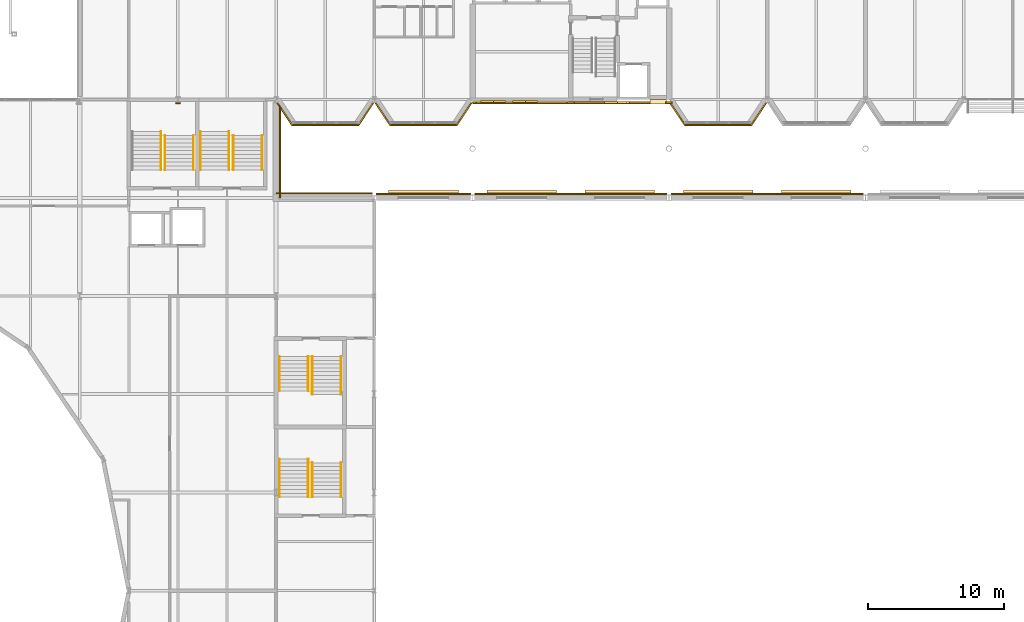
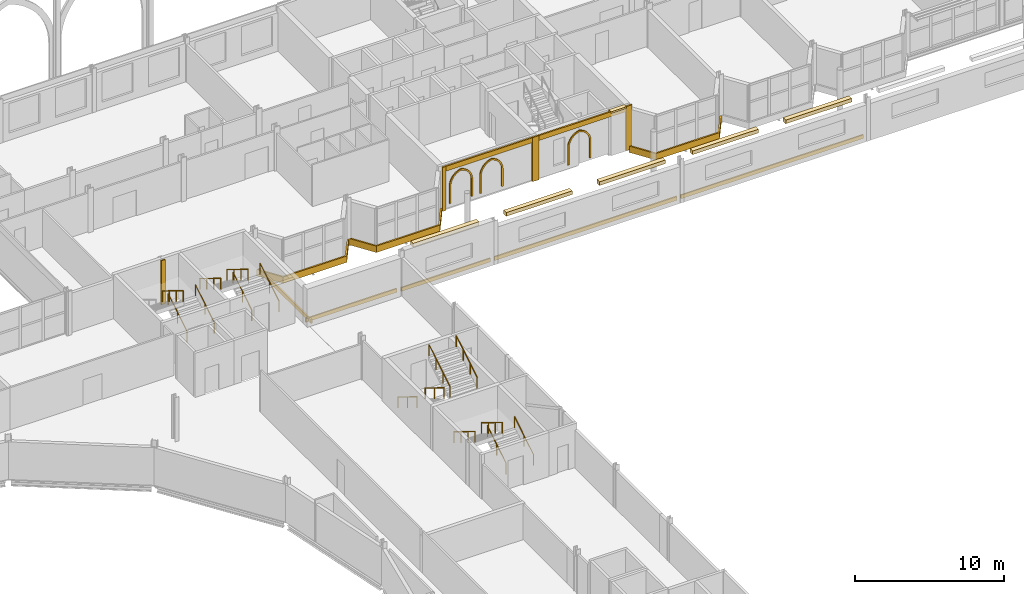
# One storey, part 108 of 124: 23 coverings, 15 railings.
"""IFC4 building model written with IfcOpenShell, lengths in metres."""

from ifc_helpers import new_model, si_unit, direction, frame, origin, origin_2d, place, context, subcontext, project, spatial, polyline, rectangle, circle, outline, extrude, material, layer, layer_set, type_object, element, save


model = new_model("IFC4")

# Units and contexts
model_context = context("Model", 3, precision=1e-05, world=origin(), true_north=direction((0.0, 1.0)))
body_context = subcontext(model_context, "Body", "Model", "MODEL_VIEW")
ifc_project = project(units=[si_unit("LENGTHUNIT", "METRE"), si_unit("AREAUNIT", "SQUARE_METRE"), si_unit("VOLUMEUNIT", "CUBIC_METRE"), si_unit("PLANEANGLEUNIT", "RADIAN"), si_unit("MASSUNIT", "GRAM", prefix="KILO")], contexts=[model_context])

# Site, building, storey
site_placement = place(None, origin())
site = spatial("IfcSite", under=ifc_project, at=site_placement, CompositionType="ELEMENT")
building_placement = place(site_placement, origin())
building = spatial("IfcBuilding", under=site, at=building_placement, Name="Kupolbacken Congress Centre", CompositionType="ELEMENT")
storey_placement = place(building_placement, frame((0.0, 0.0, 10.800048828125)))
storey = spatial("IfcBuildingStorey", under=building, at=storey_placement, Name="L03", CompositionType="ELEMENT", Elevation=10.800048828125)

# Coverings
ifc_material_1 = material(Name="Limestone cladding", Category="masonry")
ifc_layer_1 = layer(ifc_material_1, 0.1201171875)
ifc_layer_set_1 = layer_set([ifc_layer_1], Name="Limestone cladding")
covering_type_1 = type_object("IfcCoveringType", Name="CV1 limestone cladding band 120", PredefinedType="CLADDING", material=ifc_layer_set_1)
covering_1_placement = place(storey_placement, frame((79.47998046875, 118.69189453125, 0.0), z_axis=(0.0, 0.0, 1.0), x_axis=(0.0, 1.0, 0.0)))
element("IfcCovering", 1, at=covering_1_placement, inside=storey, type_object=covering_type_1, Name="E/P/E/L03/373/band", PredefinedType="CLADDING", context=body_context, shape_type="SweptSolid", body=[
    extrude(rectangle(XDim=6.98388671875, YDim=0.1201171875, at=origin_2d()), origin(), (0.0, 0.0, 1.0), 0.300048828125),
])
covering_2_placement = place(storey_placement, frame((0.0, 0.0, -0.239990234375)))
element("IfcCovering", 2, at=covering_2_placement, inside=storey, type_object=covering_type_1, Name="E/T/belt/L03/S/108", PredefinedType="CLADDING", context=body_context, shape_type="SweptSolid", body=[
    extrude(outline(polyline([(115.177490234375, 122.14990234375), (115.033203125, 122.14990234375), (114.0, 120.60009765625), (109.199951171875, 120.60009765625), (108.166748046875, 122.14990234375), (108.0224609375, 122.14990234375), (109.1357421875, 120.47998046875), (114.064208984375, 120.47998046875), (115.177490234375, 122.14990234375)])), origin(), (0.0, 0.0, 1.0), 0.52001953125),
])
covering_3_placement = place(storey_placement, frame((0.0, 0.0, -0.239990234375)))
element("IfcCovering", 3, at=covering_3_placement, inside=storey, type_object=covering_type_1, Name="E/T/belt/L03/S/79.2", PredefinedType="CLADDING", context=body_context, shape_type="SweptSolid", body=[
    extrude(outline(polyline([(86.377685546875, 122.14990234375), (86.2333984375, 122.14990234375), (85.199951171875, 120.60009765625), (80.39990234375, 120.60009765625), (79.36669921875, 122.14990234375), (79.222412109375, 122.14990234375), (80.335693359375, 120.47998046875), (85.26416015625, 120.47998046875), (86.377685546875, 122.14990234375)])), origin(), (0.0, 0.0, 1.0), 0.52001953125),
])
covering_4_placement = place(storey_placement, frame((0.0, 0.0, -0.239990234375)))
element("IfcCovering", 4, at=covering_4_placement, inside=storey, type_object=covering_type_1, Name="E/T/belt/L03/S/86.4", PredefinedType="CLADDING", context=body_context, shape_type="SweptSolid", body=[
    extrude(outline(polyline([(93.57763671875, 122.14990234375), (93.433349609375, 122.14990234375), (92.39990234375, 120.60009765625), (87.60009765625, 120.60009765625), (86.566650390625, 122.14990234375), (86.42236328125, 122.14990234375), (87.535888671875, 120.47998046875), (92.464111328125, 120.47998046875), (93.57763671875, 122.14990234375)])), origin(), (0.0, 0.0, 1.0), 0.52001953125),
])
covering_5_placement = place(storey_placement, frame((107.199951171875, 122.2451171875, 3.4599609375), z_axis=(0.0, 0.0, 1.0), x_axis=(1.0, 0.0, 0.0)))
element("IfcCovering", 5, at=covering_5_placement, inside=storey, type_object=covering_type_1, Name="E/T/S/L03/042/band", PredefinedType="CLADDING", context=body_context, shape_type="SweptSolid", body=[
    extrude(rectangle(XDim=1.199951171875, YDim=0.31005859375, at=origin_2d()), origin(), (0.0, 0.0, 1.0), 0.139892578125),
])
covering_6_placement = place(storey_placement, frame((72.0, 122.134033203125, 0.0), z_axis=(0.0, 0.0, 1.0), x_axis=(1.0, 0.0, 0.0)))
element("IfcCovering", 6, at=covering_6_placement, inside=storey, type_object=covering_type_1, Name="E/T/pilaster/L03/C-T-11T/S", PredefinedType="CLADDING", context=body_context, shape_type="SweptSolid", body=[
    extrude(rectangle(XDim=0.306884765625, YDim=0.10009765625, at=origin_2d()), origin(), (0.0, 0.0, 1.0), 3.60009765625),
])
covering_7_placement = place(storey_placement, frame((93.72509765625, 122.1650390625, 0.0), z_axis=(0.0, 0.0, 1.0), x_axis=(1.0, 0.0, 0.0)))
element("IfcCovering", 7, at=covering_7_placement, inside=storey, type_object=covering_type_1, Name="E/T/stripe/S/L03/pil93.6", PredefinedType="CLADDING", context=body_context, shape_type="SweptSolid", body=[
    extrude(rectangle(XDim=0.25, YDim=0.1201171875, at=origin_2d()), origin(), (0.0, 0.0, 1.0), 3.60009765625),
])
for number, where, z_axis, x_axis, name in (
    (8, (100.800048828125, 122.1650390625, 0.0), (0.0, 0.0, 1.0), (1.0, 0.0, 0.0), "E/T/stripe/S/L03/pil100.8"),
    (9, (108.0, 122.1650390625, 0.0), (0.0, 0.0, 1.0), (1.0, 0.0, 0.0), "E/T/stripe/S/L03/pil108"),
):
    element("IfcCovering", number, at=place(storey_placement, frame(where, z_axis=z_axis, x_axis=x_axis)), inside=storey, type_object=covering_type_1, Name=name, PredefinedType="CLADDING", context=body_context, shape_type="SweptSolid", body=[
        extrude(rectangle(XDim=0.5, YDim=0.1201171875, at=origin_2d()), origin(), (0.0, 0.0, 1.0), 3.60009765625),
    ])
covering_8_placement = place(storey_placement, frame((97.199951171875, 122.1650390625, 3.199951171875), z_axis=(0.0, 0.0, 1.0), x_axis=(1.0, 0.0, 0.0)))
element("IfcCovering", 10, at=covering_8_placement, inside=storey, type_object=covering_type_1, Name="E/T/stripe/S/L03/belt93.6", PredefinedType="CLADDING", context=body_context, shape_type="SweptSolid", body=[
    extrude(rectangle(XDim=6.699951171875, YDim=0.1201171875, at=origin_2d()), origin(), (0.0, 0.0, 1.0), 0.39990234375),
])
covering_9_placement = place(storey_placement, frame((94.199951171875, 122.300048828125, 0.349853515625), z_axis=(0.0, -1.0, 0.0), x_axis=(1.0, 0.0, 0.0)))
element("IfcCovering", 11, at=covering_9_placement, inside=storey, type_object=covering_type_1, Name="E/T/stripe/S/L03/niche93.6/1", PredefinedType="CLADDING", context=body_context, shape_type="SweptSolid", body=[
    extrude(outline(polyline([(0.0, 0.0), (0.0, 1.43408203125), (0.00537109375, 1.54443359375), (0.021484375, 1.654052734375), (0.048095703125, 1.761474609375), (0.084716796875, 1.86572265625), (0.131591796875, 1.966064453125), (0.187744140625, 2.061279296875), (0.2529296875, 2.15087890625), (0.32666015625, 2.2333984375), (0.40771484375, 2.30859375), (0.495849609375, 2.37548828125), (0.590087890625, 2.433837890625), (0.689453125, 2.482421875), (0.793212890625, 2.521240234375), (0.89990234375, 2.550048828125), (1.0068359375, 2.521240234375), (1.110595703125, 2.482421875), (1.2099609375, 2.433837890625), (1.30419921875, 2.37548828125), (1.39208984375, 2.30859375), (1.473388671875, 2.2333984375), (1.547119140625, 2.15087890625), (1.6123046875, 2.061279296875), (1.66845703125, 1.966064453125), (1.715087890625, 1.86572265625), (1.751953125, 1.761474609375), (1.778564453125, 1.654052734375), (1.794677734375, 1.54443359375), (1.800048828125, 1.43408203125), (1.800048828125, 0.0), (1.679931640625, 0.0), (1.679931640625, 1.43408203125), (1.67529296875, 1.531005859375), (1.66162109375, 1.627197265625), (1.638671875, 1.7216796875), (1.60693359375, 1.8134765625), (1.566650390625, 1.90185546875), (1.51806640625, 1.986083984375), (1.461669921875, 2.065185546875), (1.398193359375, 2.138916015625), (1.327880859375, 2.205810546875), (1.25146484375, 2.26611328125), (1.169677734375, 2.318603515625), (1.08349609375, 2.36328125), (0.9931640625, 2.3994140625), (0.89990234375, 2.427001953125), (0.806884765625, 2.3994140625), (0.716552734375, 2.36328125), (0.63037109375, 2.318603515625), (0.548583984375, 2.26611328125), (0.47216796875, 2.205810546875), (0.40185546875, 2.138916015625), (0.33837890625, 2.065185546875), (0.281982421875, 1.986083984375), (0.2333984375, 1.90185546875), (0.193115234375, 1.8134765625), (0.161376953125, 1.7216796875), (0.138427734375, 1.627197265625), (0.12451171875, 1.531005859375), (0.1201171875, 1.43408203125), (0.1201171875, 0.0), (0.0, 0.0)])), origin(), (0.0, 0.0, 1.0), 0.080078125),
])
covering_10_placement = place(storey_placement, frame((96.550048828125, 122.300048828125, 0.349853515625), z_axis=(0.0, -1.0, 0.0), x_axis=(1.0, 0.0, 0.0)))
element("IfcCovering", 12, at=covering_10_placement, inside=storey, type_object=covering_type_1, Name="E/T/stripe/S/L03/niche93.6/2", PredefinedType="CLADDING", context=body_context, shape_type="SweptSolid", body=[
    extrude(outline(polyline([(0.0, 0.0), (0.0, 1.43408203125), (0.00537109375, 1.54443359375), (0.021484375, 1.654052734375), (0.048095703125, 1.761474609375), (0.084716796875, 1.86572265625), (0.131591796875, 1.966064453125), (0.187744140625, 2.061279296875), (0.2529296875, 2.15087890625), (0.32666015625, 2.2333984375), (0.40771484375, 2.30859375), (0.495849609375, 2.37548828125), (0.590087890625, 2.433837890625), (0.689453125, 2.482421875), (0.793212890625, 2.521240234375), (0.89990234375, 2.550048828125), (1.0068359375, 2.521240234375), (1.110595703125, 2.482421875), (1.2099609375, 2.433837890625), (1.30419921875, 2.37548828125), (1.39208984375, 2.30859375), (1.473388671875, 2.2333984375), (1.547119140625, 2.15087890625), (1.6123046875, 2.061279296875), (1.66845703125, 1.966064453125), (1.715087890625, 1.86572265625), (1.751953125, 1.761474609375), (1.778564453125, 1.654052734375), (1.794677734375, 1.54443359375), (1.800048828125, 1.43408203125), (1.800048828125, 0.0), (1.679931640625, 0.0), (1.679931640625, 1.43408203125), (1.67529296875, 1.531005859375), (1.66162109375, 1.627197265625), (1.638671875, 1.7216796875), (1.60693359375, 1.8134765625), (1.566650390625, 1.90185546875), (1.51806640625, 1.986083984375), (1.461669921875, 2.065185546875), (1.398193359375, 2.138916015625), (1.327880859375, 2.205810546875), (1.25146484375, 2.26611328125), (1.169677734375, 2.318603515625), (1.08349609375, 2.36328125), (0.9931640625, 2.3994140625), (0.89990234375, 2.427001953125), (0.806884765625, 2.3994140625), (0.716552734375, 2.36328125), (0.63037109375, 2.318603515625), (0.548583984375, 2.26611328125), (0.47216796875, 2.205810546875), (0.40185546875, 2.138916015625), (0.33837890625, 2.065185546875), (0.281982421875, 1.986083984375), (0.2333984375, 1.90185546875), (0.193115234375, 1.8134765625), (0.161376953125, 1.7216796875), (0.138427734375, 1.627197265625), (0.12451171875, 1.531005859375), (0.1201171875, 1.43408203125), (0.1201171875, 0.0), (0.0, 0.0)])), origin(), (0.0, 0.0, 1.0), 0.080078125),
])
covering_11_placement = place(storey_placement, frame((104.39990234375, 122.1650390625, 3.199951171875), z_axis=(0.0, 0.0, 1.0), x_axis=(1.0, 0.0, 0.0)))
element("IfcCovering", 13, at=covering_11_placement, inside=storey, type_object=covering_type_1, Name="E/T/stripe/S/L03/belt100.8", PredefinedType="CLADDING", context=body_context, shape_type="SweptSolid", body=[
    extrude(rectangle(XDim=6.699951171875, YDim=0.1201171875, at=origin_2d()), origin(), (0.0, 0.0, 1.0), 0.39990234375),
])
covering_12_placement = place(storey_placement, frame((103.300048828125, 122.22509765625, 0.349853515625), z_axis=(0.0, -1.0, 0.0), x_axis=(1.0, 0.0, 0.0)))
element("IfcCovering", 14, at=covering_12_placement, inside=storey, type_object=covering_type_1, Name="E/T/stripe/S/L03/niche100.8/1", PredefinedType="CLADDING", context=body_context, shape_type="SweptSolid", body=[
    extrude(outline(polyline([(0.0, 0.0), (0.0, 1.43408203125), (0.00537109375, 1.54443359375), (0.021484375, 1.654052734375), (0.048095703125, 1.761474609375), (0.084716796875, 1.86572265625), (0.131591796875, 1.966064453125), (0.187744140625, 2.061279296875), (0.2529296875, 2.15087890625), (0.32666015625, 2.2333984375), (0.40771484375, 2.30859375), (0.495849609375, 2.37548828125), (0.590087890625, 2.433837890625), (0.689453125, 2.482421875), (0.793212890625, 2.521240234375), (0.89990234375, 2.550048828125), (1.0068359375, 2.521240234375), (1.110595703125, 2.482421875), (1.2099609375, 2.433837890625), (1.30419921875, 2.37548828125), (1.39208984375, 2.30859375), (1.473388671875, 2.2333984375), (1.547119140625, 2.15087890625), (1.6123046875, 2.061279296875), (1.66845703125, 1.966064453125), (1.715087890625, 1.86572265625), (1.751953125, 1.761474609375), (1.778564453125, 1.654052734375), (1.794677734375, 1.54443359375), (1.800048828125, 1.43408203125), (1.800048828125, 0.0), (1.679931640625, 0.0), (1.679931640625, 1.43408203125), (1.67529296875, 1.531005859375), (1.66162109375, 1.627197265625), (1.638671875, 1.7216796875), (1.60693359375, 1.8134765625), (1.566650390625, 1.90185546875), (1.51806640625, 1.986083984375), (1.461669921875, 2.065185546875), (1.398193359375, 2.138916015625), (1.327880859375, 2.205810546875), (1.25146484375, 2.26611328125), (1.169677734375, 2.318603515625), (1.08349609375, 2.36328125), (0.9931640625, 2.3994140625), (0.89990234375, 2.427001953125), (0.806884765625, 2.3994140625), (0.716552734375, 2.36328125), (0.63037109375, 2.318603515625), (0.548583984375, 2.26611328125), (0.47216796875, 2.205810546875), (0.40185546875, 2.138916015625), (0.33837890625, 2.065185546875), (0.281982421875, 1.986083984375), (0.2333984375, 1.90185546875), (0.193115234375, 1.8134765625), (0.161376953125, 1.7216796875), (0.138427734375, 1.627197265625), (0.12451171875, 1.531005859375), (0.1201171875, 1.43408203125), (0.1201171875, 0.0), (0.0, 0.0)])), origin(), (0.0, 0.0, 1.0), 0.080078125),
])
ifc_material_2 = material(Name="Brick cladding", Category="masonry")
ifc_layer_2 = layer(ifc_material_2, 0.10791015625)
ifc_layer_set_2 = layer_set([ifc_layer_2], Name="Brick cladding")
covering_type_2 = type_object("IfcCoveringType", Name="CV2 brick cladding band 108", PredefinedType="CLADDING", material=ifc_layer_set_2)
for number, where, z_axis, x_axis, name in (
    (15, (115.199951171875, 115.464111328125, 0.0), (0.0, 0.0, 1.0), (-1.0, 0.0, 0.0), "E/H/N/L03/359/band"),
    (16, (100.800048828125, 115.464111328125, 0.0), (0.0, 0.0, 1.0), (-1.0, 0.0, 0.0), "E/H/N/L03/360/band"),
):
    element("IfcCovering", number, at=place(storey_placement, frame(where, z_axis=z_axis, x_axis=x_axis)), inside=storey, type_object=covering_type_2, Name=name, PredefinedType="CLADDING", context=body_context, shape_type="SweptSolid", body=[
        extrude(rectangle(XDim=14.10009765625, YDim=0.10791015625, at=origin_2d()), origin(), (0.0, 0.0, 1.0), 0.300048828125),
    ])
covering_13_placement = place(storey_placement, frame((90.0, 115.464111328125, 0.0), z_axis=(0.0, 0.0, 1.0), x_axis=(-1.0, 0.0, 0.0)))
element("IfcCovering", 17, at=covering_13_placement, inside=storey, type_object=covering_type_2, Name="E/H/N/L03/361/band", PredefinedType="CLADDING", context=body_context, shape_type="SweptSolid", body=[
    extrude(rectangle(XDim=6.89990234375, YDim=0.10791015625, at=origin_2d()), origin(), (0.0, 0.0, 1.0), 0.300048828125),
])
covering_14_placement = place(storey_placement, frame((82.72509765625, 115.533935546875, 0.0), z_axis=(0.0, 0.0, 1.0), x_axis=(-1.0, 0.0, 0.0)))
element("IfcCovering", 18, at=covering_14_placement, inside=storey, type_object=covering_type_2, Name="E/LINK/N/L03/371/band", PredefinedType="CLADDING", context=body_context, shape_type="SweptSolid", body=[
    extrude(rectangle(XDim=7.050048828125, YDim=0.10791015625, at=origin_2d()), origin(), (0.0, 0.0, 1.0), 0.300048828125),
])
ifc_material_3 = material(Name="Limestone cladding", Category="masonry")
ifc_layer_3 = layer(ifc_material_3, 0.35009765625)
ifc_layer_set_3 = layer_set([ifc_layer_3], Name="Limestone cladding")
covering_type_3 = type_object("IfcCoveringType", Name="CV3 limestone pilaster strip 350", PredefinedType="CLADDING", material=ifc_layer_set_3)
for number, where, z_axis, x_axis, name in (
    (19, (90.0, 115.5849609375, 3.2998046875), (0.0, 0.0, 1.0), (1.0, 0.0, 0.0), "F/HR/H/N/string/14.4/00/1"),
    (20, (97.199951171875, 115.5849609375, 3.2998046875), (0.0, 0.0, 1.0), (1.0, 0.0, 0.0), "F/HR/H/N/string/14.4/01/1"),
    (21, (104.39990234375, 115.5849609375, 3.2998046875), (0.0, 0.0, 1.0), (1.0, 0.0, 0.0), "F/HR/H/N/string/14.4/02/1"),
    (22, (111.60009765625, 115.5849609375, 3.2998046875), (0.0, 0.0, 1.0), (1.0, 0.0, 0.0), "F/HR/H/N/string/14.4/03/1"),
    (23, (118.800048828125, 115.5849609375, 3.2998046875), (0.0, 0.0, 1.0), (1.0, 0.0, 0.0), "F/HR/H/N/string/14.4/04/1"),
):
    element("IfcCovering", number, at=place(storey_placement, frame(where, z_axis=z_axis, x_axis=x_axis)), inside=storey, type_object=covering_type_3, Name=name, PredefinedType="CLADDING", context=body_context, shape_type="SweptSolid", body=[
        extrude(rectangle(XDim=5.10009765625, YDim=0.35009765625, at=origin_2d()), origin(), (0.0, 0.0, 1.0), 0.300048828125),
    ])

# Railings
ifc_material_4 = material(Name="Steel S235", Category="steel")
railing_type = type_object("IfcRailingType", Name="RL3 handrail wall-mounted 900", PredefinedType="HANDRAIL", material=ifc_material_4)
for number, where, name in (
    (24, (71.050048828125, 117.2548828125, 0.17138671875), "C/stair/PS1NE/L03/HR1L"),
    (25, (73.14990234375, 117.2548828125, 0.17138671875), "C/stair/PS1NE/L03/HR1R"),
):
    element("IfcRailing", number, at=place(storey_placement, frame(where)), inside=storey, type_object=railing_type, Name=name, PredefinedType="HANDRAIL", context=body_context, shape_type="SweptSolid", body=[
        extrude(circle(Radius=0.02392578125, at=origin_2d()), frame((0.0, 0.0, 0.8759765625), z_axis=(0.0, 0.852836285881, 0.522178388565), x_axis=(-1.0, 0.0, 0.0)), (0.0, 0.0, 1.0), 2.954833984375),
        extrude(circle(Radius=0.02099609375, at=origin_2d()), origin(), (0.0, 0.0, 1.0), 0.851806640625),
        extrude(circle(Radius=0.02099609375, at=origin_2d()), frame((0.0, 1.260009765625, 0.771484375)), (0.0, 0.0, 1.0), 0.851806640625),
        extrude(circle(Radius=0.02099609375, at=origin_2d()), frame((0.0, 2.52001953125, 1.54296875)), (0.0, 0.0, 1.0), 0.851806640625),
    ])
railing_placement = place(storey_placement, frame((70.75, 120.054931640625, 1.8857421875)))
element("IfcRailing", 26, at=railing_placement, inside=storey, type_object=railing_type, Name="C/stair/PS1NE/L03/HR2L", PredefinedType="HANDRAIL", context=body_context, shape_type="SweptSolid", body=[
    extrude(circle(Radius=0.02392578125, at=origin_2d()), frame((0.0, 0.0, 0.8759765625), z_axis=(0.0, -0.852879011914, 0.522108600807), x_axis=(1.0, 0.0, 0.0)), (0.0, 0.0, 1.0), 3.282958984375),
    extrude(circle(Radius=0.02099609375, at=origin_2d()), origin(), (0.0, 0.0, 1.0), 0.851806640625),
    extrude(circle(Radius=0.02099609375, at=origin_2d()), frame((0.0, -0.933349609375, 0.5712890625)), (0.0, 0.0, 1.0), 0.851806640625),
    extrude(circle(Radius=0.02099609375, at=origin_2d()), frame((0.0, -1.86669921875, 1.142822265625)), (0.0, 0.0, 1.0), 0.851806640625),
    extrude(circle(Radius=0.02099609375, at=origin_2d()), frame((0.0, -2.800048828125, 1.714111328125)), (0.0, 0.0, 1.0), 0.851806640625),
])
for number, where, name in (
    (27, (76.050048828125, 117.2548828125, 0.17138671875), "C/stair/PS2NE/L03/HR1L"),
    (28, (78.14990234375, 117.2548828125, 0.17138671875), "C/stair/PS2NE/L03/HR1R"),
):
    element("IfcRailing", number, at=place(storey_placement, frame(where)), inside=storey, type_object=railing_type, Name=name, PredefinedType="HANDRAIL", context=body_context, shape_type="SweptSolid", body=[
        extrude(circle(Radius=0.02392578125, at=origin_2d()), frame((0.0, 0.0, 0.8759765625), z_axis=(0.0, 0.852836285881, 0.522178388565), x_axis=(-1.0, 0.0, 0.0)), (0.0, 0.0, 1.0), 2.954833984375),
        extrude(circle(Radius=0.02099609375, at=origin_2d()), origin(), (0.0, 0.0, 1.0), 0.851806640625),
        extrude(circle(Radius=0.02099609375, at=origin_2d()), frame((0.0, 1.260009765625, 0.771484375)), (0.0, 0.0, 1.0), 0.851806640625),
        extrude(circle(Radius=0.02099609375, at=origin_2d()), frame((0.0, 2.52001953125, 1.54296875)), (0.0, 0.0, 1.0), 0.851806640625),
    ])
for number, where, name in (
    (29, (75.75, 120.054931640625, 1.8857421875), "C/stair/PS2NE/L03/HR2L"),
    (30, (73.64990234375, 120.054931640625, 1.8857421875), "C/stair/PS2NE/L03/HR2R"),
):
    element("IfcRailing", number, at=place(storey_placement, frame(where)), inside=storey, type_object=railing_type, Name=name, PredefinedType="HANDRAIL", context=body_context, shape_type="SweptSolid", body=[
        extrude(circle(Radius=0.02392578125, at=origin_2d()), frame((0.0, 0.0, 0.8759765625), z_axis=(0.0, -0.852879011914, 0.522108600807), x_axis=(1.0, 0.0, 0.0)), (0.0, 0.0, 1.0), 3.282958984375),
        extrude(circle(Radius=0.02099609375, at=origin_2d()), origin(), (0.0, 0.0, 1.0), 0.851806640625),
        extrude(circle(Radius=0.02099609375, at=origin_2d()), frame((0.0, -0.933349609375, 0.5712890625)), (0.0, 0.0, 1.0), 0.851806640625),
        extrude(circle(Radius=0.02099609375, at=origin_2d()), frame((0.0, -1.86669921875, 1.142822265625)), (0.0, 0.0, 1.0), 0.851806640625),
        extrude(circle(Radius=0.02099609375, at=origin_2d()), frame((0.0, -2.800048828125, 1.714111328125)), (0.0, 0.0, 1.0), 0.851806640625),
    ])
for number, where, name in (
    (31, (81.85009765625, 93.2548828125, 0.17138671875), "C/stair/LS4/L03/HR1L"),
    (32, (83.949951171875, 93.2548828125, 0.17138671875), "C/stair/LS4/L03/HR1R"),
):
    element("IfcRailing", number, at=place(storey_placement, frame(where)), inside=storey, type_object=railing_type, Name=name, PredefinedType="HANDRAIL", context=body_context, shape_type="SweptSolid", body=[
        extrude(circle(Radius=0.02392578125, at=origin_2d()), frame((0.0, 0.0, 0.8759765625), z_axis=(0.0, 0.852836285881, 0.522178388565), x_axis=(-1.0, 0.0, 0.0)), (0.0, 0.0, 1.0), 2.954833984375),
        extrude(circle(Radius=0.02099609375, at=origin_2d()), origin(), (0.0, 0.0, 1.0), 0.851806640625),
        extrude(circle(Radius=0.02099609375, at=origin_2d()), frame((0.0, 1.260009765625, 0.771484375)), (0.0, 0.0, 1.0), 0.851806640625),
        extrude(circle(Radius=0.02099609375, at=origin_2d()), frame((0.0, 2.52001953125, 1.54296875)), (0.0, 0.0, 1.0), 0.851806640625),
    ])
for number, where, name in (
    (33, (81.550048828125, 96.054931640625, 1.8857421875), "C/stair/LS4/L03/HR2L"),
    (34, (79.449951171875, 96.054931640625, 1.8857421875), "C/stair/LS4/L03/HR2R"),
):
    element("IfcRailing", number, at=place(storey_placement, frame(where)), inside=storey, type_object=railing_type, Name=name, PredefinedType="HANDRAIL", context=body_context, shape_type="SweptSolid", body=[
        extrude(circle(Radius=0.02392578125, at=origin_2d()), frame((0.0, 0.0, 0.8759765625), z_axis=(0.0, -0.852879011914, 0.522108600807), x_axis=(1.0, 0.0, 0.0)), (0.0, 0.0, 1.0), 3.282958984375),
        extrude(circle(Radius=0.02099609375, at=origin_2d()), origin(), (0.0, 0.0, 1.0), 0.851806640625),
        extrude(circle(Radius=0.02099609375, at=origin_2d()), frame((0.0, -0.933349609375, 0.5712890625)), (0.0, 0.0, 1.0), 0.851806640625),
        extrude(circle(Radius=0.02099609375, at=origin_2d()), frame((0.0, -1.86669921875, 1.142822265625)), (0.0, 0.0, 1.0), 0.851806640625),
        extrude(circle(Radius=0.02099609375, at=origin_2d()), frame((0.0, -2.800048828125, 1.714111328125)), (0.0, 0.0, 1.0), 0.851806640625),
    ])
for number, where, name in (
    (35, (81.550048828125, 103.570068359375, 0.17138671875), "C/stair/LS2/L03/HR1L"),
    (36, (79.449951171875, 103.570068359375, 0.17138671875), "C/stair/LS2/L03/HR1R"),
):
    element("IfcRailing", number, at=place(storey_placement, frame(where)), inside=storey, type_object=railing_type, Name=name, PredefinedType="HANDRAIL", context=body_context, shape_type="SweptSolid", body=[
        extrude(circle(Radius=0.02392578125, at=origin_2d()), frame((0.0, 0.0, 0.8759765625), z_axis=(0.0, -0.852836285881, 0.522178388565), x_axis=(1.0, 0.0, 0.0)), (0.0, 0.0, 1.0), 2.954833984375),
        extrude(circle(Radius=0.02099609375, at=origin_2d()), origin(), (0.0, 0.0, 1.0), 0.851806640625),
        extrude(circle(Radius=0.02099609375, at=origin_2d()), frame((0.0, -1.260009765625, 0.771484375)), (0.0, 0.0, 1.0), 0.851806640625),
        extrude(circle(Radius=0.02099609375, at=origin_2d()), frame((0.0, -2.52001953125, 1.54296875)), (0.0, 0.0, 1.0), 0.851806640625),
    ])
for number, where, name in (
    (37, (81.85009765625, 100.77001953125, 1.8857421875), "C/stair/LS2/L03/HR2L"),
    (38, (83.949951171875, 100.77001953125, 1.8857421875), "C/stair/LS2/L03/HR2R"),
):
    element("IfcRailing", number, at=place(storey_placement, frame(where)), inside=storey, type_object=railing_type, Name=name, PredefinedType="HANDRAIL", context=body_context, shape_type="SweptSolid", body=[
        extrude(circle(Radius=0.02392578125, at=origin_2d()), frame((0.0, 0.0, 0.8759765625), z_axis=(0.0, 0.852879011914, 0.522108600807), x_axis=(-1.0, 0.0, 0.0)), (0.0, 0.0, 1.0), 3.282958984375),
        extrude(circle(Radius=0.02099609375, at=origin_2d()), origin(), (0.0, 0.0, 1.0), 0.851806640625),
        extrude(circle(Radius=0.02099609375, at=origin_2d()), frame((0.0, 0.933349609375, 0.5712890625)), (0.0, 0.0, 1.0), 0.851806640625),
        extrude(circle(Radius=0.02099609375, at=origin_2d()), frame((0.0, 1.86669921875, 1.142822265625)), (0.0, 0.0, 1.0), 0.851806640625),
        extrude(circle(Radius=0.02099609375, at=origin_2d()), frame((0.0, 2.800048828125, 1.714111328125)), (0.0, 0.0, 1.0), 0.851806640625),
    ])

save(model, "model.ifc")
